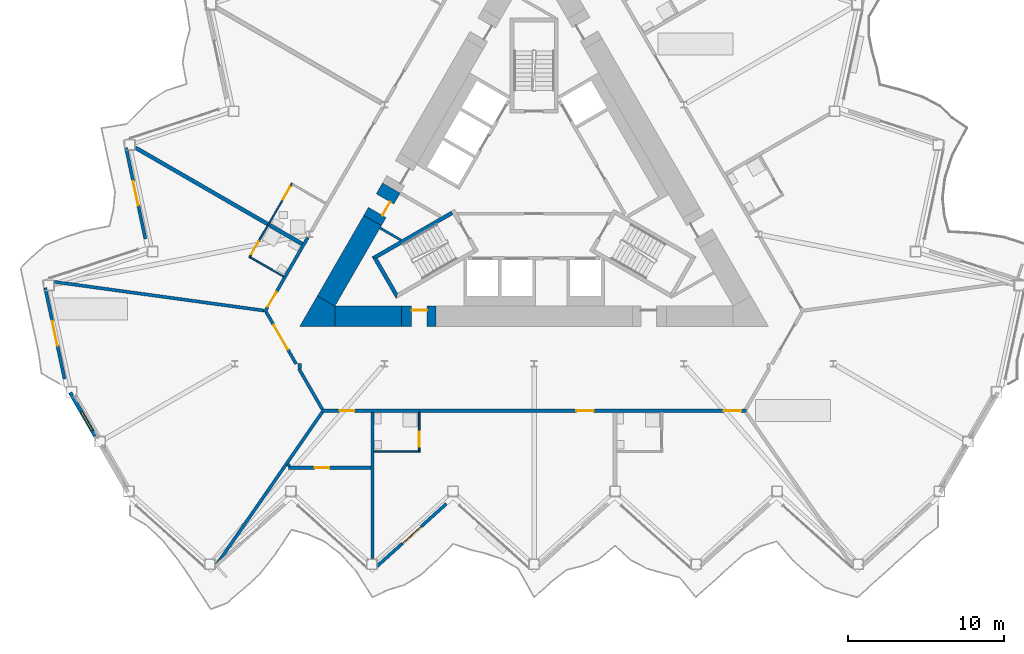
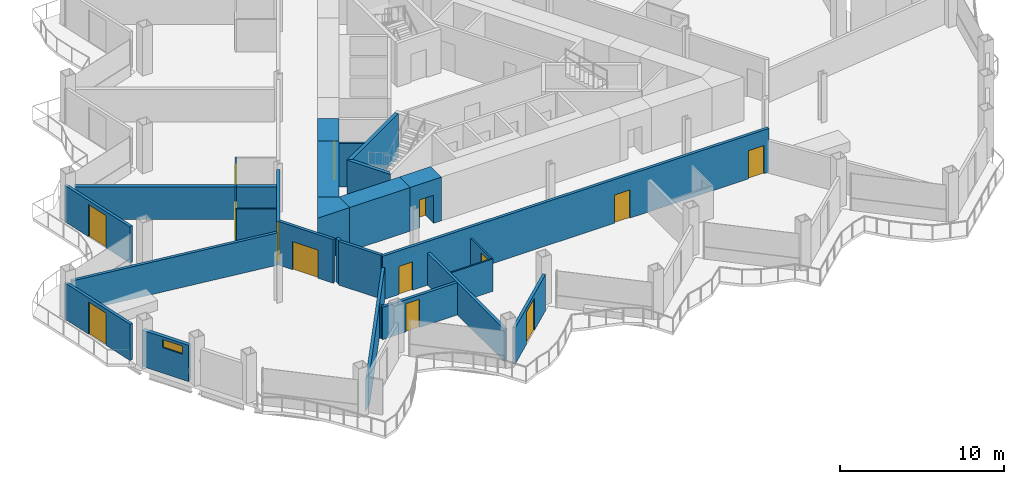
# One storey, part 11 of 23: 27 walls, 14 doors, 1 window, 15 openings.
"""IFC4 building model written with IfcOpenShell, lengths in metres."""

from ifc_helpers import new_model, si_unit, direction, frame, frame_2d, origin, place, context, subcontext, project, spatial, polyline, rectangle, outline, extrude, material, layer, layer_set, type_object, element, fill, save


model = new_model("IFC4")

# Units and contexts
model_context = context("Model", 3, precision=1e-05, world=origin(), true_north=direction((0.0, 1.0)))
body_context = subcontext(model_context, "Body", "Model", "MODEL_VIEW")
ifc_project = project(units=[si_unit("LENGTHUNIT", "METRE"), si_unit("AREAUNIT", "SQUARE_METRE"), si_unit("VOLUMEUNIT", "CUBIC_METRE"), si_unit("PLANEANGLEUNIT", "RADIAN"), si_unit("MASSUNIT", "GRAM", prefix="KILO")], contexts=[model_context])

# Site, building, storey
site_placement = place(None, origin())
site = spatial("IfcSite", under=ifc_project, at=site_placement, CompositionType="ELEMENT")
building_placement = place(site_placement, origin())
building = spatial("IfcBuilding", under=site, at=building_placement, Name="Cormorant Prow Tower", CompositionType="ELEMENT")
storey_placement = place(building_placement, frame((0.0, 0.0, 245.39990234375)))
storey = spatial("IfcBuildingStorey", under=building, at=storey_placement, Name="L54", CompositionType="ELEMENT", Elevation=245.39990234375)

# Walls
ifc_material_1 = material(Name="Gypsum board partition")
ifc_layer_1 = layer(ifc_material_1, 0.14990234375)
ifc_layer_set_1 = layer_set([ifc_layer_1], Name="Gypsum board partition")
wall_type_1 = type_object("IfcWallType", Name="Core partition 150", PredefinedType="PARTITIONING", material=ifc_layer_set_1)
wall_1_placement = place(storey_placement, frame((-9.862060546875, -2.361083984375, 0.0), z_axis=(0.0, 0.0, 1.0), x_axis=(0.865990094875, -0.500061151839, 0.0)))
element("IfcWall", 1, at=wall_1_placement, inside=storey, type_object=wall_type_1, Name="Service room partition", PredefinedType="PARTITIONING", context=body_context, shape_type="SweptSolid", body=[
    extrude(rectangle(XDim=1.559814453125, YDim=0.14990234375, at=frame_2d((0.77978515625, 0.0))), origin(), (0.0, 0.0, 1.0), 3.25),
])
ifc_material_2 = material(Name="Concrete 8000 psi", Category="concrete")
ifc_layer_2 = layer(ifc_material_2, 1.300048828125)
ifc_layer_set_2 = layer_set([ifc_layer_2], Name="Concrete 8000 psi")
wall_type_2 = type_object("IfcWallType", Name="Core shear wall 1300", PredefinedType="SHEAR", material=ifc_layer_set_2)
wall_2_placement = place(storey_placement, frame((-12.748291015625, -8.01025390625, 0.0), z_axis=(0.0, 0.0, 1.0), x_axis=(1.0, 0.0, 0.0)))
element("IfcWall", 2, at=wall_2_placement, inside=storey, type_object=wall_type_2, Name="Core wall", PredefinedType="SHEAR", context=body_context, shape_type="SweptSolid", body=[
    extrude(rectangle(XDim=4.260009765625, YDim=1.300048828125, at=frame_2d((2.1298828125, 0.0))), origin(), (0.0, 0.0, 1.0), 3.25),
])
wall_3_placement = place(storey_placement, frame((-10.337890625, -1.885009765625, 0.0), z_axis=(0.0, 0.0, 1.0), x_axis=(-0.499975944838, -0.866039291593, 0.0)))
element("IfcWall", 3, at=wall_3_placement, inside=storey, type_object=wall_type_2, Name="Core wall", PredefinedType="SHEAR", context=body_context, shape_type="SweptSolid", body=[
    extrude(rectangle(XDim=5.947021484375, YDim=1.300048828125, at=frame_2d((2.9736328125, 0.0))), origin(), (0.0, 0.0, 1.0), 3.25),
])
wall_4_placement = place(storey_placement, origin())
element("IfcWall", 4, at=wall_4_placement, inside=storey, type_object=wall_type_2, Name="Core wall corner", PredefinedType="SHEAR", context=body_context, shape_type="SweptSolid", body=[
    extrude(outline(polyline([(-13.874267578125, -6.710205078125), (-12.748291015625, -7.3603515625), (-12.748291015625, -8.660400390625), (-15.0, -8.660400390625), (-13.874267578125, -6.710205078125)])), origin(), (0.0, 0.0, 1.0), 3.25),
])

# Wall, opening, door
wall_5_placement = place(storey_placement, frame((-8.48828125, -8.01025390625, 0.0), z_axis=(0.0, 0.0, 1.0), x_axis=(1.0, 0.0, 0.0)))
wall_5 = element("IfcWall", 5, at=wall_5_placement, inside=storey, type_object=wall_type_2, Name="Core wall door panel", PredefinedType="SHEAR", context=body_context, shape_type="SweptSolid", body=[
    extrude(rectangle(XDim=2.2001953125, YDim=1.300048828125, at=frame_2d((1.10009765625, 0.0))), origin(), (0.0, 0.0, 1.0), 3.25),
])
opening_1_placement = place(wall_5_placement, frame((0.64990234375, 0.0, 0.0)))
opening_1 = element("IfcOpeningElement", 6, at=opening_1_placement, cuts=wall_5, Name="Opening L54-C14", PredefinedType="OPENING", context=body_context, shape_type="SweptSolid", body=[
    extrude(rectangle(XDim=1.0, YDim=2.10009765625, at=frame_2d((0.5, 1.050048828125))), frame((0.0, 0.659912109375, 0.0), z_axis=(0.0, -1.0, 0.0), x_axis=(1.0, 0.0, 0.0)), (0.0, 0.0, 1.0), 1.320068359375),
])
ifc_material_3 = material(Name="Painted steel", Category="steel")
door_type_1 = type_object("IfcDoorType", Name="Service door 1000x2100", OperationType="NOTDEFINED", PredefinedType="DOOR", material=ifc_material_3)
door_1_placement = place(opening_1_placement, origin())
door_1 = element("IfcDoor", 7, at=door_1_placement, inside=storey, type_object=door_type_1, Name="Core door, Pantry store", OperationType="SINGLE_SWING_LEFT", OverallHeight=2.10009765625, OverallWidth=1.0, PredefinedType="DOOR", context=body_context, shape_type="SweptSolid", body=[
    extrude(rectangle(XDim=1.0, YDim=2.10009765625, at=frame_2d((0.5, 1.050048828125))), frame((0.0, 0.40478515625, 0.0), z_axis=(0.0, -1.0, 0.0), x_axis=(1.0, 0.0, 0.0)), (0.0, 0.0, 1.0), 0.050048828125),
])
fill(opening_1, door_1)

wall_6_placement = place(storey_placement, frame((-9.13720703125, 0.194580078125, 0.0), z_axis=(0.0, 0.0, 1.0), x_axis=(-0.500009943768, -0.866019662671, 0.0)))
wall_6 = element("IfcWall", 8, at=wall_6_placement, inside=storey, type_object=wall_type_2, Name="Core wall door panel", PredefinedType="SHEAR", context=body_context, shape_type="SweptSolid", body=[
    extrude(rectangle(XDim=2.4013671875, YDim=1.300048828125, at=frame_2d((1.20068359375, 0.0))), origin(), (0.0, 0.0, 1.0), 3.25),
])
opening_2_placement = place(wall_6_placement, frame((0.800048828125, 0.0, 0.0)))
opening_2 = element("IfcOpeningElement", 9, at=opening_2_placement, cuts=wall_6, Name="Opening L54-C16", PredefinedType="OPENING", context=body_context, shape_type="SweptSolid", body=[
    extrude(rectangle(XDim=1.0, YDim=2.10009765625, at=frame_2d((0.5, 1.050048828125))), frame((0.0, 0.659912109375, 0.0), z_axis=(0.0, -1.0, 0.0), x_axis=(1.0, 0.0, 0.0)), (0.0, 0.0, 1.0), 1.320068359375),
])
door_2_placement = place(opening_2_placement, origin())
door_2 = element("IfcDoor", 10, at=door_2_placement, inside=storey, type_object=door_type_1, Name="Core door, Mechanical riser room", OperationType="SINGLE_SWING_LEFT", OverallHeight=2.10009765625, OverallWidth=1.0, PredefinedType="DOOR", context=body_context, shape_type="SweptSolid", body=[
    extrude(rectangle(XDim=1.0, YDim=2.10009765625, at=frame_2d((0.5, 1.050048828125))), frame((0.0, 0.40478515625, 0.0), z_axis=(0.0, -1.0, 0.0), x_axis=(1.0, 0.0, 0.0)), (0.0, 0.0, 1.0), 0.050048828125),
])
fill(opening_2, door_2)

# Wall, openings, doors
ifc_material_4 = material(Name="Gypsum board corridor wall")
ifc_layer_3 = layer(ifc_material_4, 0.199951171875)
ifc_layer_set_3 = layer_set([ifc_layer_3], Name="Gypsum board corridor wall")
wall_type_3 = type_object("IfcWallType", Name="Corridor wall 200", PredefinedType="PARTITIONING", material=ifc_layer_set_3)
wall_7_placement = place(storey_placement, frame((-13.598876953125, -14.060302734375, 0.0), z_axis=(0.0, 0.0, 1.0), x_axis=(1.0, 0.0, 0.0)))
wall_7 = element("IfcWall", 11, at=wall_7_placement, inside=storey, type_object=wall_type_3, Name="Corridor wall", PredefinedType="PARTITIONING", context=body_context, shape_type="SweptSolid", body=[
    extrude(rectangle(XDim=27.19775390625, YDim=0.199951171875, at=frame_2d((13.598876953125, 0.0))), origin(), (0.0, 0.0, 1.0), 3.25),
])
opening_3_placement = place(wall_7_placement, frame((1.151611328125, 0.0, 0.0)))
opening_3 = element("IfcOpeningElement", 12, at=opening_3_placement, cuts=wall_7, Name="Opening L54-F01", PredefinedType="OPENING", context=body_context, shape_type="SweptSolid", body=[
    extrude(rectangle(XDim=0.949951171875, YDim=2.10009765625, at=frame_2d((0.47509765625, 1.050048828125))), frame((0.0, 0.10986328125, 0.0), z_axis=(0.0, -1.0, 0.0), x_axis=(1.0, 0.0, 0.0)), (0.0, 0.0, 1.0), 0.219970703125),
])
opening_4_placement = place(wall_7_placement, frame((16.311279296875, 0.0, 0.0)))
opening_4 = element("IfcOpeningElement", 13, at=opening_4_placement, cuts=wall_7, Name="Opening L54-F03", PredefinedType="OPENING", context=body_context, shape_type="SweptSolid", body=[
    extrude(rectangle(XDim=1.10009765625, YDim=2.10009765625, at=frame_2d((0.550048828125, 1.050048828125))), frame((0.0, 0.10986328125, 0.0), z_axis=(0.0, -1.0, 0.0), x_axis=(1.0, 0.0, 0.0)), (0.0, 0.0, 1.0), 0.219970703125),
])
opening_5_placement = place(wall_7_placement, frame((25.747314453125, 0.0, 0.0)))
opening_5 = element("IfcOpeningElement", 14, at=opening_5_placement, cuts=wall_7, Name="Opening L54-F05", PredefinedType="OPENING", context=body_context, shape_type="SweptSolid", body=[
    extrude(rectangle(XDim=1.10009765625, YDim=2.10009765625, at=frame_2d((0.550048828125, 1.050048828125))), frame((0.0, 0.10986328125, 0.0), z_axis=(0.0, -1.0, 0.0), x_axis=(1.0, 0.0, 0.0)), (0.0, 0.0, 1.0), 0.219970703125),
])
ifc_material_5 = material(Name="Timber door leaf", Category="wood")
door_type_2 = type_object("IfcDoorType", Name="Store door 950x2100", OperationType="NOTDEFINED", PredefinedType="DOOR", material=ifc_material_5)
door_3_placement = place(opening_3_placement, origin())
door_3 = element("IfcDoor", 15, at=door_3_placement, inside=storey, type_object=door_type_2, Name="Housekeeping room door", OperationType="SINGLE_SWING_LEFT", OverallHeight=2.10009765625, OverallWidth=0.949951171875, PredefinedType="DOOR", context=body_context, shape_type="SweptSolid", body=[
    extrude(rectangle(XDim=0.949951171875, YDim=2.10009765625, at=frame_2d((0.47509765625, 1.050048828125))), frame((0.0, 0.02490234375, 0.0), z_axis=(0.0, -1.0, 0.0), x_axis=(1.0, 0.0, 0.0)), (0.0, 0.0, 1.0), 0.050048828125),
])
fill(opening_3, door_3)
ifc_material_6 = material(Name="Timber door leaf", Category="wood")
door_type_3 = type_object("IfcDoorType", Name="Suite entrance door 1100x2100", OperationType="NOTDEFINED", PredefinedType="DOOR", material=ifc_material_6)
door_4_placement = place(opening_4_placement, origin())
door_4 = element("IfcDoor", 16, at=door_4_placement, inside=storey, type_object=door_type_3, Name="Executive suite bedroom door", OperationType="SINGLE_SWING_RIGHT", OverallHeight=2.10009765625, OverallWidth=1.10009765625, PredefinedType="DOOR", context=body_context, shape_type="SweptSolid", body=[
    extrude(rectangle(XDim=1.10009765625, YDim=2.10009765625, at=frame_2d((0.550048828125, 1.050048828125))), frame((0.0, 0.02490234375, 0.0), z_axis=(0.0, -1.0, 0.0), x_axis=(1.0, 0.0, 0.0)), (0.0, 0.0, 1.0), 0.050048828125),
])
fill(opening_4, door_4)
door_5_placement = place(opening_5_placement, origin())
door_5 = element("IfcDoor", 17, at=door_5_placement, inside=storey, type_object=door_type_3, Name="Executive suite bedroom door", OperationType="SINGLE_SWING_RIGHT", OverallHeight=2.10009765625, OverallWidth=1.10009765625, PredefinedType="DOOR", context=body_context, shape_type="SweptSolid", body=[
    extrude(rectangle(XDim=1.10009765625, YDim=2.10009765625, at=frame_2d((0.550048828125, 1.050048828125))), frame((0.0, 0.02490234375, 0.0), z_axis=(0.0, -1.0, 0.0), x_axis=(1.0, 0.0, 0.0)), (0.0, 0.0, 1.0), 0.050048828125),
])
fill(opening_5, door_5)

# Wall, opening, door
wall_8_placement = place(storey_placement, frame((-17.243896484375, -7.746826171875, 0.0), z_axis=(0.0, 0.0, 1.0), x_axis=(0.500017753321, 0.866015153657, 0.0)))
wall_8 = element("IfcWall", 18, at=wall_8_placement, inside=storey, type_object=wall_type_3, Name="Corridor wall", PredefinedType="PARTITIONING", context=body_context, shape_type="SweptSolid", body=[
    extrude(rectangle(XDim=5.510498046875, YDim=0.199951171875, at=frame_2d((2.75537109375, 0.0))), origin(), (0.0, 0.0, 1.0), 3.25),
])
opening_6_placement = place(wall_8_placement, frame((0.400634765625, 0.0, 0.0)))
opening_6 = element("IfcOpeningElement", 19, at=opening_6_placement, cuts=wall_8, Name="Opening L54-F20", PredefinedType="OPENING", context=body_context, shape_type="SweptSolid", body=[
    extrude(rectangle(XDim=1.10009765625, YDim=2.10009765625, at=frame_2d((0.550048828125, 1.050048828125))), frame((0.0, 0.10986328125, 0.0), z_axis=(0.0, -1.0, 0.0), x_axis=(1.0, 0.0, 0.0)), (0.0, 0.0, 1.0), 0.219970703125),
])
door_6_placement = place(opening_6_placement, origin())
door_6 = element("IfcDoor", 20, at=door_6_placement, inside=storey, type_object=door_type_3, Name="Junior suite door", OperationType="SINGLE_SWING_LEFT", OverallHeight=2.10009765625, OverallWidth=1.10009765625, PredefinedType="DOOR", context=body_context, shape_type="SweptSolid", body=[
    extrude(rectangle(XDim=1.10009765625, YDim=2.10009765625, at=frame_2d((0.550048828125, 1.050048828125))), frame((0.0, 0.02490234375, 0.0), z_axis=(0.0, -1.0, 0.0), x_axis=(1.0, 0.0, 0.0)), (0.0, 0.0, 1.0), 0.050048828125),
])
fill(opening_6, door_6)

wall_9_placement = place(storey_placement, frame((-17.143798828125, -7.746826171875, 0.0), z_axis=(0.0, 0.0, 1.0), x_axis=(0.499961815444, -0.866047448526, 0.0)))
wall_9 = element("IfcWall", 21, at=wall_9_placement, inside=storey, type_object=wall_type_3, Name="Corridor wall", PredefinedType="PARTITIONING", context=body_context, shape_type="SweptSolid", body=[
    extrude(rectangle(XDim=3.825927734375, YDim=0.199951171875, at=frame_2d((1.9130859375, 0.0))), origin(), (0.0, 0.0, 1.0), 3.25),
])
opening_7_placement = place(wall_9_placement, frame((0.962158203125, 0.0, 0.0)))
opening_7 = element("IfcOpeningElement", 22, at=opening_7_placement, cuts=wall_9, Name="Opening L54-F22", PredefinedType="OPENING", context=body_context, shape_type="SweptSolid", body=[
    extrude(rectangle(XDim=1.800048828125, YDim=2.10009765625, at=frame_2d((0.89990234375, 1.050048828125))), frame((0.0, 0.10986328125, 0.0), z_axis=(0.0, -1.0, 0.0), x_axis=(1.0, 0.0, 0.0)), (0.0, 0.0, 1.0), 0.219970703125),
])
ifc_material_7 = material(Name="Timber door leaf", Category="wood")
door_type_4 = type_object("IfcDoorType", Name="Double door 1800x2100", OperationType="DOUBLE_DOOR_SINGLE_SWING", PredefinedType="DOOR", material=ifc_material_7)
door_7_placement = place(opening_7_placement, origin())
door_7 = element("IfcDoor", 23, at=door_7_placement, inside=storey, type_object=door_type_4, Name="Co-working space door", OperationType="DOUBLE_DOOR_SINGLE_SWING", OverallHeight=2.10009765625, OverallWidth=1.800048828125, PredefinedType="DOOR", context=body_context, shape_type="SweptSolid", body=[
    extrude(rectangle(XDim=1.800048828125, YDim=2.10009765625, at=frame_2d((0.89990234375, 1.050048828125))), frame((0.0, 0.02490234375, 0.0), z_axis=(0.0, -1.0, 0.0), x_axis=(1.0, 0.0, 0.0)), (0.0, 0.0, 1.0), 0.050048828125),
])
fill(opening_7, door_7)

# Walls
wall_10_placement = place(storey_placement, frame((-15.050048828125, -11.373779296875, 0.0), z_axis=(0.0, 0.0, 1.0), x_axis=(0.500048608389, -0.865997337899, 0.0)))
element("IfcWall", 24, at=wall_10_placement, inside=storey, type_object=wall_type_3, Name="Corridor wall", PredefinedType="PARTITIONING", context=body_context, shape_type="SweptSolid", body=[
    extrude(rectangle(XDim=3.002197265625, YDim=0.199951171875, at=frame_2d((1.5009765625, 0.0))), origin(), (0.0, 0.0, 1.0), 3.25),
])
wall_11_placement = place(storey_placement, frame((-15.0, -11.3603515625, 0.0), z_axis=(0.0, 0.0, 1.0), x_axis=(0.0, 1.0, 0.0)))
element("IfcWall", 25, at=wall_11_placement, inside=storey, type_object=wall_type_3, Name="Corridor wall", PredefinedType="PARTITIONING", context=body_context, shape_type="SweptSolid", body=[
    extrude(rectangle(XDim=0.31005859375, YDim=0.199951171875, at=frame_2d((0.155029296875, 0.0))), origin(), (0.0, 0.0, 1.0), 3.25),
])
ifc_material_8 = material(Name="Gypsum board demising wall")
ifc_layer_4 = layer(ifc_material_8, 0.199951171875)
ifc_layer_set_4 = layer_set([ifc_layer_4], Name="Gypsum board demising wall")
wall_type_4 = type_object("IfcWallType", Name="Demising wall 200", PredefinedType="PARTITIONING", material=ifc_layer_set_4)
wall_12_placement = place(storey_placement, frame((-30.703125, -5.809814453125, 0.0), z_axis=(0.0, 0.0, 1.0), x_axis=(0.99075075074, -0.135694325259, 0.0)))
element("IfcWall", 26, at=wall_12_placement, inside=storey, type_object=wall_type_4, Name="Demising wall", PredefinedType="PARTITIONING", context=body_context, shape_type="SweptSolid", body=[
    extrude(rectangle(XDim=13.535400390625, YDim=0.199951171875, at=frame_2d((6.767578125, 0.0))), origin(), (0.0, 0.0, 1.0), 2.404296875),
])
wall_13_placement = place(storey_placement, origin())
element("IfcWall", 27, at=wall_13_placement, inside=storey, type_object=wall_type_4, Name="Demising wall", PredefinedType="PARTITIONING", context=body_context, shape_type="SweptSolid", body=[
    extrude(outline(polyline([(-13.473388671875, -14.199462890625), (-19.793701171875, -23.330810546875), (-20.439453125, -23.912109375), (-13.637939453125, -14.085693359375), (-13.473388671875, -14.199462890625)])), origin(), (0.0, 0.0, 1.0), 2.404296875),
])
wall_14_placement = place(storey_placement, frame((-10.351318359375, -23.52685546875, 0.0), z_axis=(0.0, 0.0, 1.0), x_axis=(0.0, 1.0, 0.0)))
element("IfcWall", 28, at=wall_14_placement, inside=storey, type_object=wall_type_4, Name="Demising wall", PredefinedType="PARTITIONING", context=body_context, shape_type="SweptSolid", body=[
    extrude(rectangle(XDim=9.366455078125, YDim=0.199951171875, at=frame_2d((4.68310546875, 0.0))), origin(), (0.0, 0.0, 1.0), 2.404296875),
])

# Wall, opening, door
wall_15_placement = place(storey_placement, frame((-15.706298828125, -17.710205078125, 0.0), z_axis=(0.0, 0.0, 1.0), x_axis=(1.0, 0.0, 0.0)))
wall_15 = element("IfcWall", 29, at=wall_15_placement, inside=storey, type_object=wall_type_4, Name="Demising wall", PredefinedType="PARTITIONING", context=body_context, shape_type="SweptSolid", body=[
    extrude(rectangle(XDim=5.2548828125, YDim=0.199951171875, at=frame_2d((2.62744140625, 0.0))), origin(), (0.0, 0.0, 1.0), 2.404296875),
])
opening_8_placement = place(wall_15_placement, frame((1.65185546875, 0.0, 0.0)))
opening_8 = element("IfcOpeningElement", 30, at=opening_8_placement, cuts=wall_15, Name="Opening L54-F02", PredefinedType="OPENING", context=body_context, shape_type="SweptSolid", body=[
    extrude(rectangle(XDim=0.949951171875, YDim=2.10009765625, at=frame_2d((0.47509765625, 1.050048828125))), frame((0.0, 0.10986328125, 0.0), z_axis=(0.0, -1.0, 0.0), x_axis=(1.0, 0.0, 0.0)), (0.0, 0.0, 1.0), 0.219970703125),
])
door_8_placement = place(opening_8_placement, origin())
door_8 = element("IfcDoor", 31, at=door_8_placement, inside=storey, type_object=door_type_2, Name="Linen store door", OperationType="SINGLE_SWING_RIGHT", OverallHeight=2.10009765625, OverallWidth=0.949951171875, PredefinedType="DOOR", context=body_context, shape_type="SweptSolid", body=[
    extrude(rectangle(XDim=0.949951171875, YDim=2.10009765625, at=frame_2d((0.47509765625, 1.050048828125))), frame((0.0, 0.02490234375, 0.0), z_axis=(0.0, -1.0, 0.0), x_axis=(1.0, 0.0, 0.0)), (0.0, 0.0, 1.0), 0.050048828125),
])
fill(opening_8, door_8)

# Wall
wall_16_placement = place(storey_placement, frame((-15.74658203125, -17.466796875, 0.0), z_axis=(0.0, 0.0, 1.0), x_axis=(0.498749683645, -0.866746071848, 0.0)))
element("IfcWall", 32, at=wall_16_placement, inside=storey, type_object=wall_type_4, Name="Demising wall", PredefinedType="PARTITIONING", context=body_context, shape_type="SweptSolid", body=[
    extrude(rectangle(XDim=0.18115234375, YDim=0.199951171875, at=frame_2d((0.090576171875, 0.0))), origin(), (0.0, 0.0, 1.0), 2.404296875),
])

# Wall, openings, doors
ifc_material_9 = material(Name="Gypsum board partition")
ifc_layer_5 = layer(ifc_material_9, 0.10009765625)
ifc_layer_set_5 = layer_set([ifc_layer_5], Name="Gypsum board partition")
wall_type_5 = type_object("IfcWallType", Name="Internal partition 100", PredefinedType="PARTITIONING", material=ifc_layer_set_5)
wall_17_placement = place(storey_placement, frame((-18.230712890625, -4.256103515625, 0.0), z_axis=(0.0, 0.0, 1.0), x_axis=(0.500015767406, 0.866016300277, 0.0)))
wall_17 = element("IfcWall", 33, at=wall_17_placement, inside=storey, type_object=wall_type_5, Name="Internal partition", PredefinedType="PARTITIONING", context=body_context, shape_type="SweptSolid", body=[
    extrude(rectangle(XDim=5.499755859375, YDim=0.10009765625, at=frame_2d((2.75, 0.0))), origin(), (0.0, 0.0, 1.0), 2.404296875),
])
opening_9_placement = place(wall_17_placement, frame((4.300048828125, 0.0, 0.0)))
opening_9 = element("IfcOpeningElement", 34, at=opening_9_placement, cuts=wall_17, Name="Opening L54-F19", PredefinedType="OPENING", context=body_context, shape_type="SweptSolid", body=[
    extrude(rectangle(XDim=0.949951171875, YDim=2.10009765625, at=frame_2d((0.47509765625, 1.050048828125))), frame((0.0, 0.06005859375, 0.0), z_axis=(0.0, -1.0, 0.0), x_axis=(1.0, 0.0, 0.0)), (0.0, 0.0, 1.0), 0.1201171875),
])
opening_10_placement = place(wall_17_placement, frame((0.25, 0.0, 0.0)))
opening_10 = element("IfcOpeningElement", 35, at=opening_10_placement, cuts=wall_17, Name="Opening L54-F21", PredefinedType="OPENING", context=body_context, shape_type="SweptSolid", body=[
    extrude(rectangle(XDim=0.949951171875, YDim=2.10009765625, at=frame_2d((0.47509765625, 1.050048828125))), frame((0.0, 0.06005859375, 0.0), z_axis=(0.0, -1.0, 0.0), x_axis=(1.0, 0.0, 0.0)), (0.0, 0.0, 1.0), 0.1201171875),
])
ifc_material_10 = material(Name="Timber door leaf", Category="wood")
door_type_5 = type_object("IfcDoorType", Name="Bathroom door 950x2100", OperationType="NOTDEFINED", PredefinedType="DOOR", material=ifc_material_10)
door_9_placement = place(opening_9_placement, origin())
door_9 = element("IfcDoor", 36, at=door_9_placement, inside=storey, type_object=door_type_5, Name="Junior suite door", OperationType="SINGLE_SWING_RIGHT", OverallHeight=2.10009765625, OverallWidth=0.949951171875, PredefinedType="DOOR", context=body_context, shape_type="SweptSolid", body=[
    extrude(rectangle(XDim=0.949951171875, YDim=2.10009765625, at=frame_2d((0.47509765625, 1.050048828125))), frame((0.0, 0.02490234375, 0.0), z_axis=(0.0, -1.0, 0.0), x_axis=(1.0, 0.0, 0.0)), (0.0, 0.0, 1.0), 0.050048828125),
])
fill(opening_9, door_9)
door_10_placement = place(opening_10_placement, origin())
door_10 = element("IfcDoor", 37, at=door_10_placement, inside=storey, type_object=door_type_5, Name="Junior suite door", OperationType="SINGLE_SWING_LEFT", OverallHeight=2.10009765625, OverallWidth=0.949951171875, PredefinedType="DOOR", context=body_context, shape_type="SweptSolid", body=[
    extrude(rectangle(XDim=0.949951171875, YDim=2.10009765625, at=frame_2d((0.47509765625, 1.050048828125))), frame((0.0, 0.02490234375, 0.0), z_axis=(0.0, -1.0, 0.0), x_axis=(1.0, 0.0, 0.0)), (0.0, 0.0, 1.0), 0.050048828125),
])
fill(opening_10, door_10)

# Walls
wall_18_placement = place(storey_placement, frame((-10.25146484375, -16.660400390625, 0.0), z_axis=(0.0, 0.0, 1.0), x_axis=(1.0, 0.0, 0.0)))
element("IfcWall", 38, at=wall_18_placement, inside=storey, type_object=wall_type_5, Name="Internal partition", PredefinedType="PARTITIONING", context=body_context, shape_type="SweptSolid", body=[
    extrude(rectangle(XDim=2.949951171875, YDim=0.10009765625, at=frame_2d((1.47509765625, 0.0))), origin(), (0.0, 0.0, 1.0), 2.404296875),
])
wall_19_placement = place(storey_placement, frame((-18.16259765625, -4.23779296875, 0.0), z_axis=(0.0, 0.0, 1.0), x_axis=(0.866014668023, -0.500018594424, 0.0)))
element("IfcWall", 39, at=wall_19_placement, inside=storey, type_object=wall_type_5, Name="Internal partition", PredefinedType="PARTITIONING", context=body_context, shape_type="SweptSolid", body=[
    extrude(rectangle(XDim=2.4501953125, YDim=0.10009765625, at=frame_2d((1.22509765625, 0.0))), origin(), (0.0, 0.0, 1.0), 2.404296875),
])

# Wall, opening, door
wall_20_placement = place(storey_placement, frame((-7.351318359375, -16.6103515625, 0.0), z_axis=(0.0, 0.0, 1.0), x_axis=(0.0, 1.0, 0.0)))
wall_20 = element("IfcWall", 40, at=wall_20_placement, inside=storey, type_object=wall_type_5, Name="Internal partition", PredefinedType="PARTITIONING", context=body_context, shape_type="SweptSolid", body=[
    extrude(rectangle(XDim=2.449951171875, YDim=0.10009765625, at=frame_2d((1.22509765625, 0.0))), origin(), (0.0, 0.0, 1.0), 2.404296875),
])
opening_11_placement = place(wall_20_placement, frame((0.25, 0.0, 0.0)))
opening_11 = element("IfcOpeningElement", 41, at=opening_11_placement, cuts=wall_20, Name="Opening L54-F04", PredefinedType="OPENING", context=body_context, shape_type="SweptSolid", body=[
    extrude(rectangle(XDim=0.949951171875, YDim=2.10009765625, at=frame_2d((0.47509765625, 1.050048828125))), frame((0.0, 0.06005859375, 0.0), z_axis=(0.0, -1.0, 0.0), x_axis=(1.0, 0.0, 0.0)), (0.0, 0.0, 1.0), 0.1201171875),
])
door_11_placement = place(opening_11_placement, origin())
door_11 = element("IfcDoor", 42, at=door_11_placement, inside=storey, type_object=door_type_5, Name="Executive suite bedroom door", OperationType="SINGLE_SWING_LEFT", OverallHeight=2.10009765625, OverallWidth=0.949951171875, PredefinedType="DOOR", context=body_context, shape_type="SweptSolid", body=[
    extrude(rectangle(XDim=0.949951171875, YDim=2.10009765625, at=frame_2d((0.47509765625, 1.050048828125))), frame((0.0, 0.02490234375, 0.0), z_axis=(0.0, -1.0, 0.0), x_axis=(1.0, 0.0, 0.0)), (0.0, 0.0, 1.0), 0.050048828125),
])
fill(opening_11, door_11)

# Walls
ifc_material_11 = material(Name="Concrete 8000 psi", Category="concrete")
ifc_layer_6 = layer(ifc_material_11, 0.25)
ifc_layer_set_6 = layer_set([ifc_layer_6], Name="Concrete 8000 psi")
wall_type_6 = type_object("IfcWallType", Name="Stair wall 250", PredefinedType="SHEAR", material=ifc_layer_set_6)
wall_21_placement = place(storey_placement, origin())
element("IfcWall", 43, at=wall_21_placement, inside=storey, type_object=wall_type_6, Name="Stair ST1 enclosure wall (flank)", PredefinedType="SHEAR", context=body_context, shape_type="SweptSolid", body=[
    extrude(outline(polyline([(-5.30712890625, -1.28125), (-10.37353515625, -4.206298828125), (-10.031982421875, -4.2978515625), (-5.18212890625, -1.497802734375), (-5.30712890625, -1.28125)])), origin(), (0.0, 0.0, 1.0), 3.25),
])
wall_22_placement = place(storey_placement, origin())
element("IfcWall", 44, at=wall_22_placement, inside=storey, type_object=wall_type_6, Name="Stair ST1 enclosure wall (end)", PredefinedType="SHEAR", context=body_context, shape_type="SweptSolid", body=[
    extrude(outline(polyline([(-10.37353515625, -4.206298828125), (-8.82958984375, -6.880615234375), (-8.738037109375, -6.5390625), (-10.031982421875, -4.2978515625), (-10.37353515625, -4.206298828125)])), origin(), (0.0, 0.0, 1.0), 3.25),
])
ifc_material_12 = material(Name="Acoustic gypsum party wall")
ifc_layer_7 = layer(ifc_material_12, 0.25)
ifc_layer_set_7 = layer_set([ifc_layer_7], Name="Acoustic gypsum party wall")
wall_type_7 = type_object("IfcWallType", Name="Suite party wall 250", PredefinedType="PARTITIONING", material=ifc_layer_set_7)
wall_23_placement = place(storey_placement, frame((-25.514892578125, 2.7783203125, 0.0), z_axis=(0.0, 0.0, 1.0), x_axis=(0.866019666699, -0.500009936792, 0.0)))
element("IfcWall", 45, at=wall_23_placement, inside=storey, type_object=wall_type_7, Name="Suite party wall", PredefinedType="PARTITIONING", context=body_context, shape_type="SweptSolid", body=[
    extrude(rectangle(XDim=12.325439453125, YDim=0.25, at=frame_2d((6.16259765625, 0.0))), origin(), (0.0, 0.0, 1.0), 2.404296875),
])

# Wall, opening, window
ifc_material_13 = material(Name="Terracotta", Category="masonry")
ifc_layer_8 = layer(ifc_material_13, 0.25)
ifc_layer_set_8 = layer_set([ifc_layer_8], Name="Terracotta")
wall_type_8 = type_object("IfcWallType", Name="Terracotta bay wall 250", PredefinedType="SOLIDWALL", material=ifc_layer_set_8)
wall_24_placement = place(storey_placement, frame((-29.691650390625, -12.90380859375, 0.0), z_axis=(0.0, 0.0, 1.0), x_axis=(0.499987708133, -0.866032500381, 0.0)))
wall_24 = element("IfcWall", 46, at=wall_24_placement, inside=storey, type_object=wall_type_8, Name="Terracotta bay wall WSW00", PredefinedType="SOLIDWALL", context=body_context, shape_type="SweptSolid", body=[
    extrude(rectangle(XDim=3.21337890625, YDim=0.25, at=frame_2d((1.606689453125, 0.0))), origin(), (0.0, 0.0, 1.0), 2.700927734375),
])
opening_12_placement = place(wall_24_placement, frame((1.39990234375, 0.0, 1.89990234375)))
opening_12 = element("IfcOpeningElement", 47, at=opening_12_placement, cuts=wall_24, Name="Opening WN6", PredefinedType="OPENING", context=body_context, shape_type="SweptSolid", body=[
    extrude(rectangle(XDim=1.39990234375, YDim=0.60009765625, at=frame_2d((0.699951171875, 0.300048828125))), frame((0.0, 0.135009765625, 0.0), z_axis=(0.0, -1.0, 0.0), x_axis=(1.0, 0.0, 0.0)), (0.0, 0.0, 1.0), 0.27001953125),
])
ifc_material_14 = material(Name="Aluminium 6063-T6", Category="aluminium")
window_type = type_object("IfcWindowType", Name="Corner bay window 1400x600", PartitioningType="SINGLE_PANEL", PredefinedType="WINDOW", material=ifc_material_14)
window_placement = place(opening_12_placement, origin())
window = element("IfcWindow", 48, at=window_placement, inside=storey, type_object=window_type, Name="Corner bay window WSW00", OverallHeight=0.60009765625, OverallWidth=1.39990234375, PartitioningType="SINGLE_PANEL", PredefinedType="WINDOW", context=body_context, shape_type="SweptSolid", body=[
    extrude(rectangle(XDim=1.39990234375, YDim=0.60009765625, at=frame_2d((0.699951171875, 0.300048828125))), frame((0.0, 0.030029296875, 0.0), z_axis=(0.0, -1.0, 0.0), x_axis=(1.0, 0.0, 0.0)), (0.0, 0.0, 1.0), 0.06005859375),
])
fill(opening_12, window)

# Wall, opening, door
ifc_material_15 = material(Name="Terracotta", Category="masonry")
ifc_layer_9 = layer(ifc_material_15, 0.199951171875)
ifc_layer_set_9 = layer_set([ifc_layer_9], Name="Terracotta")
wall_type_9 = type_object("IfcWallType", Name="Terracotta jamb wall 200", PredefinedType="SOLIDWALL", material=ifc_layer_set_9)
wall_25_placement = place(storey_placement, frame((-10.0458984375, -24.0087890625, 0.0), z_axis=(0.0, 0.0, 1.0), x_axis=(0.743133280699, 0.669143427912, 0.0)))
wall_25 = element("IfcWall", 49, at=wall_25_placement, inside=storey, type_object=wall_type_9, Name="Terracotta jamb wall S03", PredefinedType="SOLIDWALL", context=body_context, shape_type="SweptSolid", body=[
    extrude(rectangle(XDim=5.96240234375, YDim=0.199951171875, at=frame_2d((2.981201171875, 0.0))), origin(), (0.0, 0.0, 1.0), 2.700927734375),
])
opening_13_placement = place(wall_25_placement, frame((2.181396484375, 0.0, 0.0)))
opening_13 = element("IfcOpeningElement", 50, at=opening_13_placement, cuts=wall_25, Name="Opening ED54.02", PredefinedType="OPENING", context=body_context, shape_type="SweptSolid", body=[
    extrude(rectangle(XDim=1.60009765625, YDim=2.39990234375, at=frame_2d((0.800048828125, 1.199951171875))), frame((0.0, 0.10986328125, 0.0), z_axis=(0.0, -1.0, 0.0), x_axis=(1.0, 0.0, 0.0)), (0.0, 0.0, 1.0), 0.219970703125),
])
ifc_material_16 = material(Name="Aluminium 6063-T6", Category="aluminium")
door_type_6 = type_object("IfcDoorType", Name="Balcony door 1600x2400", OperationType="DOUBLE_DOOR_SINGLE_SWING", PredefinedType="DOOR", material=ifc_material_16)
door_12_placement = place(opening_13_placement, origin())
door_12 = element("IfcDoor", 51, at=door_12_placement, inside=storey, type_object=door_type_6, Name="Balcony door S03 ED54.02", OperationType="DOUBLE_DOOR_SINGLE_SWING", OverallHeight=2.39990234375, OverallWidth=1.60009765625, PredefinedType="DOOR", context=body_context, shape_type="SweptSolid", body=[
    extrude(rectangle(XDim=1.60009765625, YDim=2.39990234375, at=frame_2d((0.800048828125, 1.199951171875))), frame((0.0, 0.02490234375, 0.0), z_axis=(0.0, -1.0, 0.0), x_axis=(1.0, 0.0, 0.0)), (0.0, 0.0, 1.0), 0.050048828125),
])
fill(opening_13, door_12)

wall_26_placement = place(storey_placement, frame((-26.12060546875, 2.775390625, 0.0), z_axis=(0.0, 0.0, 1.0), x_axis=(0.207881772083, -0.978153959679, 0.0)))
wall_26 = element("IfcWall", 52, at=wall_26_placement, inside=storey, type_object=wall_type_9, Name="Terracotta jamb wall WNW07", PredefinedType="SOLIDWALL", context=body_context, shape_type="SweptSolid", body=[
    extrude(rectangle(XDim=5.962646484375, YDim=0.199951171875, at=frame_2d((2.9814453125, 0.0))), origin(), (0.0, 0.0, 1.0), 2.700927734375),
])
opening_14_placement = place(wall_26_placement, frame((2.181396484375, 0.0, 0.0)))
opening_14 = element("IfcOpeningElement", 53, at=opening_14_placement, cuts=wall_26, Name="Opening ED54.14", PredefinedType="OPENING", context=body_context, shape_type="SweptSolid", body=[
    extrude(rectangle(XDim=1.60009765625, YDim=2.39990234375, at=frame_2d((0.800048828125, 1.199951171875))), frame((0.0, 0.10986328125, 0.0), z_axis=(0.0, -1.0, 0.0), x_axis=(1.0, 0.0, 0.0)), (0.0, 0.0, 1.0), 0.219970703125),
])
door_13_placement = place(opening_14_placement, origin())
door_13 = element("IfcDoor", 54, at=door_13_placement, inside=storey, type_object=door_type_6, Name="Balcony door WNW07 ED54.14", OperationType="DOUBLE_DOOR_SINGLE_SWING", OverallHeight=2.39990234375, OverallWidth=1.60009765625, PredefinedType="DOOR", context=body_context, shape_type="SweptSolid", body=[
    extrude(rectangle(XDim=1.60009765625, YDim=2.39990234375, at=frame_2d((0.800048828125, 1.199951171875))), frame((0.0, 0.02490234375, 0.0), z_axis=(0.0, -1.0, 0.0), x_axis=(1.0, 0.0, 0.0)), (0.0, 0.0, 1.0), 0.050048828125),
])
fill(opening_14, door_13)

wall_27_placement = place(storey_placement, frame((-31.29638671875, -6.189208984375, 0.0), z_axis=(0.0, 0.0, 1.0), x_axis=(0.207920947907, -0.978145633033, 0.0)))
wall_27 = element("IfcWall", 55, at=wall_27_placement, inside=storey, type_object=wall_type_9, Name="Terracotta jamb wall WNW09", PredefinedType="SOLIDWALL", context=body_context, shape_type="SweptSolid", body=[
    extrude(rectangle(XDim=5.962646484375, YDim=0.199951171875, at=frame_2d((2.9814453125, 0.0))), origin(), (0.0, 0.0, 1.0), 2.700927734375),
])
opening_15_placement = place(wall_27_placement, frame((2.181396484375, 0.0, 0.0)))
opening_15 = element("IfcOpeningElement", 56, at=opening_15_placement, cuts=wall_27, Name="Opening ED54.15", PredefinedType="OPENING", context=body_context, shape_type="SweptSolid", body=[
    extrude(rectangle(XDim=1.60009765625, YDim=2.39990234375, at=frame_2d((0.800048828125, 1.199951171875))), frame((0.0, 0.10986328125, 0.0), z_axis=(0.0, -1.0, 0.0), x_axis=(1.0, 0.0, 0.0)), (0.0, 0.0, 1.0), 0.219970703125),
])
door_14_placement = place(opening_15_placement, origin())
door_14 = element("IfcDoor", 57, at=door_14_placement, inside=storey, type_object=door_type_6, Name="Balcony door WNW09 ED54.15", OperationType="DOUBLE_DOOR_SINGLE_SWING", OverallHeight=2.39990234375, OverallWidth=1.60009765625, PredefinedType="DOOR", context=body_context, shape_type="SweptSolid", body=[
    extrude(rectangle(XDim=1.60009765625, YDim=2.39990234375, at=frame_2d((0.800048828125, 1.199951171875))), frame((0.0, 0.02490234375, 0.0), z_axis=(0.0, -1.0, 0.0), x_axis=(1.0, 0.0, 0.0)), (0.0, 0.0, 1.0), 0.050048828125),
])
fill(opening_15, door_14)

save(model, "model.ifc")
